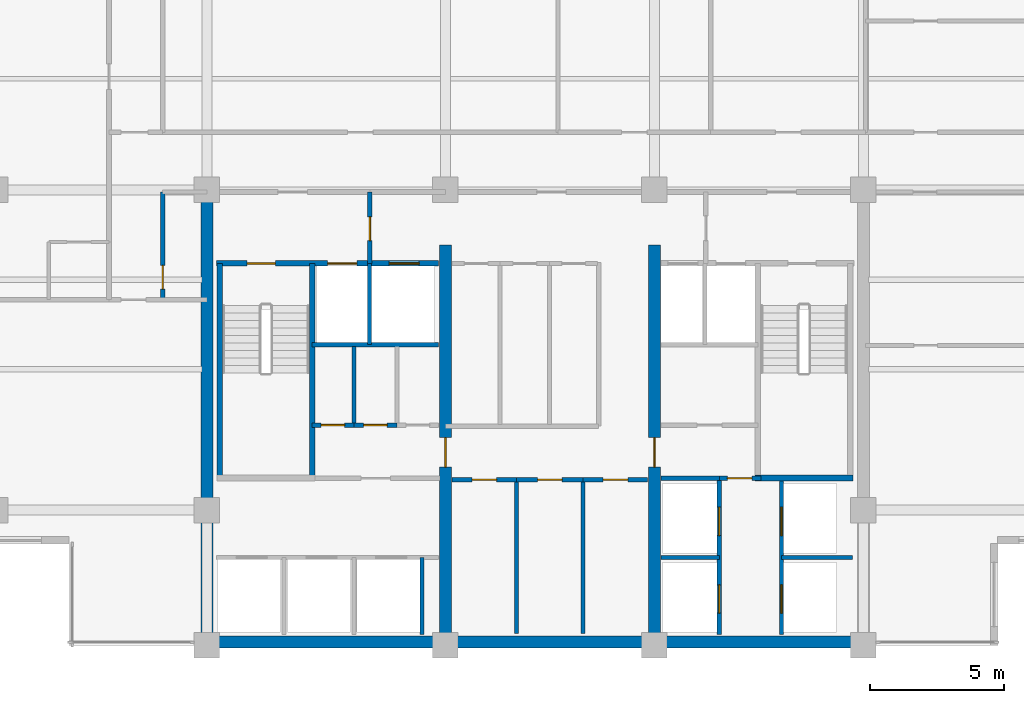
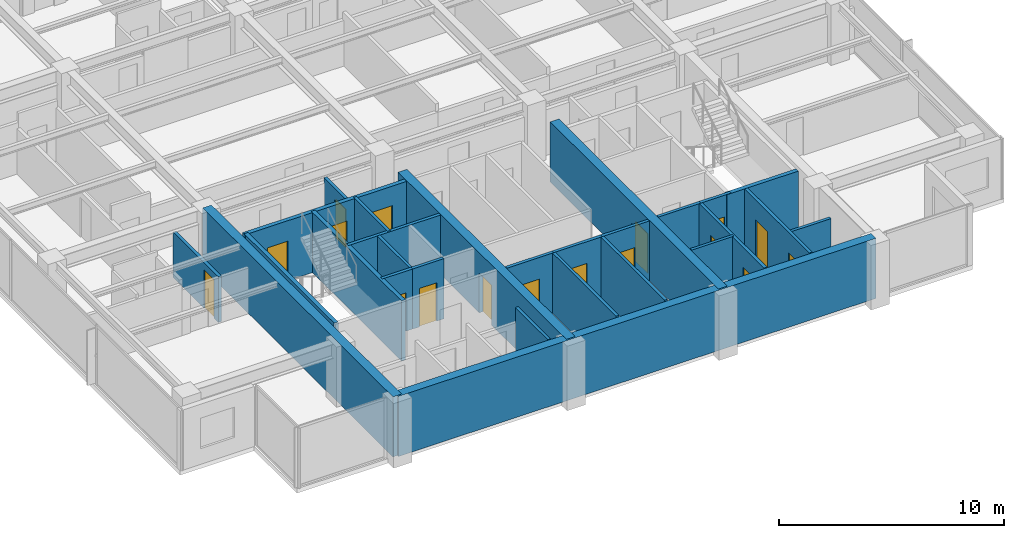
# One storey, part 7 of 14: 27 walls, 17 doors, 17 openings.
"""IFC4 building model written with IfcOpenShell, lengths in metres."""

from ifc_helpers import new_model, si_unit, direction, frame, frame_2d, origin, place, context, subcontext, project, spatial, rectangle, extrude, material, layer, layer_set, type_object, element, fill, save


model = new_model("IFC4")

# Units and contexts
model_context = context("Model", 3, precision=1e-05, world=origin(), true_north=direction((0.0, 1.0)))
body_context = subcontext(model_context, "Body", "Model", "MODEL_VIEW")
ifc_project = project(units=[si_unit("LENGTHUNIT", "METRE"), si_unit("AREAUNIT", "SQUARE_METRE"), si_unit("VOLUMEUNIT", "CUBIC_METRE"), si_unit("PLANEANGLEUNIT", "RADIAN"), si_unit("MASSUNIT", "GRAM", prefix="KILO")], contexts=[model_context])

# Site, building, storey
site_placement = place(None, origin())
site = spatial("IfcSite", under=ifc_project, at=site_placement, CompositionType="ELEMENT")
building_placement = place(site_placement, origin())
building = spatial("IfcBuilding", under=site, at=building_placement, Name="Qalmaran Belvedere Hotel", CompositionType="ELEMENT")
storey_placement = place(building_placement, frame((0.0, 0.0, 228.39990234375)))
storey = spatial("IfcBuildingStorey", under=building, at=storey_placement, Name="L58", CompositionType="ELEMENT", Elevation=228.39990234375)

# Wall
ifc_material_1 = material(Name="Concrete C50/60", Category="concrete")
ifc_layer_1 = layer(ifc_material_1, 0.449951171875, Name="Concrete C50/60")
ifc_layer_set_1 = layer_set([ifc_layer_1], Name="Concrete C50/60")
wall_type_1 = type_object("IfcWallType", Name="WL-CORE-450-C50", PredefinedType="SHEAR", material=ifc_layer_set_1)
wall_1_placement = place(storey_placement, frame((20.300048828125, 3.5, 0.0), z_axis=(0.0, 0.0, 1.0), x_axis=(0.0, 1.0, 0.0)))
element("IfcWall", 1, at=wall_1_placement, inside=storey, type_object=wall_type_1, Name="L58 West Core Shear Wall", PredefinedType="SHEAR", context=body_context, shape_type="SweptSolid", body=[
    extrude(rectangle(XDim=16.89990234375, YDim=0.449951171875, at=frame_2d((8.449951171875, 0.0))), origin(), (0.0, 0.0, 1.0), 3.260009765625),
])

# Wall, opening, door
wall_2_placement = place(storey_placement, frame((29.199951171875, 3.5, 0.0), z_axis=(0.0, 0.0, 1.0), x_axis=(0.0, 1.0, 0.0)))
wall_2 = element("IfcWall", 2, at=wall_2_placement, inside=storey, type_object=wall_type_1, Name="L58 Core West Spine Shear Wall", PredefinedType="SHEAR", context=body_context, shape_type="SweptSolid", body=[
    extrude(rectangle(XDim=14.949951171875, YDim=0.449951171875, at=frame_2d((7.47509765625, 0.0))), origin(), (0.0, 0.0, 1.0), 3.260009765625),
])
opening_1_placement = place(wall_2_placement, frame((7.75, 0.0, 0.0), z_axis=(0.0, 0.0, 1.0), x_axis=(-1.0, 0.0, 0.0)))
opening_1 = element("IfcOpeningElement", 3, at=opening_1_placement, cuts=wall_2, Name="Opening FD90", PredefinedType="OPENING", context=body_context, shape_type="SweptSolid", body=[
    extrude(rectangle(XDim=1.10009765625, YDim=2.14990234375, at=frame_2d((0.550048828125, 1.074951171875))), frame((0.0, 0.23486328125, 0.0), z_axis=(0.0, -1.0, 0.0), x_axis=(1.0, 0.0, 0.0)), (0.0, 0.0, 1.0), 0.469970703125),
])
ifc_material_2 = material(Name="Steel S355JR", Category="steel")
door_type_1 = type_object("IfcDoorType", Name="DR-FD90-1100X2150", OperationType="NOTDEFINED", PredefinedType="DOOR", material=ifc_material_2)
door_1_placement = place(opening_1_placement, origin())
door_1 = element("IfcDoor", 4, at=door_1_placement, inside=storey, type_object=door_type_1, Name="L58 Core West Cross-Lobby Door", OperationType="SINGLE_SWING_LEFT", OverallHeight=2.14990234375, OverallWidth=1.10009765625, PredefinedType="DOOR", context=body_context, shape_type="SweptSolid", body=[
    extrude(rectangle(XDim=1.10009765625, YDim=2.14990234375, at=frame_2d((0.550048828125, 1.074951171875))), frame((0.0, 0.02490234375, 0.0), z_axis=(0.0, -1.0, 0.0), x_axis=(1.0, 0.0, 0.0)), (0.0, 0.0, 1.0), 0.050048828125),
])
fill(opening_1, door_1)

wall_3_placement = place(storey_placement, frame((37.0, 3.5, 0.0), z_axis=(0.0, 0.0, 1.0), x_axis=(0.0, 1.0, 0.0)))
wall_3 = element("IfcWall", 5, at=wall_3_placement, inside=storey, type_object=wall_type_1, Name="L58 Core East Spine Shear Wall", PredefinedType="SHEAR", context=body_context, shape_type="SweptSolid", body=[
    extrude(rectangle(XDim=14.949951171875, YDim=0.449951171875, at=frame_2d((7.47509765625, 0.0))), origin(), (0.0, 0.0, 1.0), 3.260009765625),
])
opening_2_placement = place(wall_3_placement, frame((6.64990234375, 0.0, 0.0)))
opening_2 = element("IfcOpeningElement", 6, at=opening_2_placement, cuts=wall_3, Name="Opening FD90", PredefinedType="OPENING", context=body_context, shape_type="SweptSolid", body=[
    extrude(rectangle(XDim=1.10009765625, YDim=2.14990234375, at=frame_2d((0.550048828125, 1.074951171875))), frame((0.0, 0.23486328125, 0.0), z_axis=(0.0, -1.0, 0.0), x_axis=(1.0, 0.0, 0.0)), (0.0, 0.0, 1.0), 0.469970703125),
])
door_2_placement = place(opening_2_placement, origin())
door_2 = element("IfcDoor", 7, at=door_2_placement, inside=storey, type_object=door_type_1, Name="L58 Core East Cross-Lobby Door", OperationType="SINGLE_SWING_RIGHT", OverallHeight=2.14990234375, OverallWidth=1.10009765625, PredefinedType="DOOR", context=body_context, shape_type="SweptSolid", body=[
    extrude(rectangle(XDim=1.10009765625, YDim=2.14990234375, at=frame_2d((0.550048828125, 1.074951171875))), frame((0.0, 0.02490234375, 0.0), z_axis=(0.0, -1.0, 0.0), x_axis=(1.0, 0.0, 0.0)), (0.0, 0.0, 1.0), 0.050048828125),
])
fill(opening_2, door_2)

# Walls
ifc_layer_2 = layer(ifc_material_1, 0.43994140625, Name="Concrete C50/60")
ifc_layer_set_2 = layer_set([ifc_layer_2], Name="Concrete C50/60")
wall_type_2 = type_object("IfcWallType", Name="WL-CORES-440-EXT", PredefinedType="SHEAR", material=ifc_layer_set_2)
wall_4_placement = place(storey_placement, frame((20.300048828125, 3.6298828125, 0.0), z_axis=(0.0, 0.0, 1.0), x_axis=(1.0, 0.0, 0.0)))
element("IfcWall", 8, at=wall_4_placement, inside=storey, type_object=wall_type_2, Name="L58 South Core Shear Wall", PredefinedType="SHEAR", context=body_context, shape_type="SweptSolid", body=[
    extrude(rectangle(XDim=24.5, YDim=0.43994140625, at=frame_2d((12.25, 0.0))), origin(), (0.0, 0.0, 1.0), 3.260009765625),
])
ifc_material_3 = material(Name="Gypsum Stud Partition")
ifc_layer_3 = layer(ifc_material_3, 0.14990234375, Name="Gypsum Stud Partition")
ifc_layer_set_3 = layer_set([ifc_layer_3], Name="Gypsum Stud Partition")
wall_type_3 = type_object("IfcWallType", Name="WL-INT-150-EI120", PredefinedType="PARTITIONING", material=ifc_layer_set_3)
wall_5_placement = place(storey_placement, frame((26.360107421875, 14.719970703125, 0.0), z_axis=(0.0, 0.0, 1.0), x_axis=(0.0, 1.0, 0.0)))
element("IfcWall", 9, at=wall_5_placement, inside=storey, type_object=wall_type_3, Name="L58 Partition WL-FF1M-L58", PredefinedType="PARTITIONING", context=body_context, shape_type="SweptSolid", body=[
    extrude(rectangle(XDim=3.0400390625, YDim=0.14990234375, at=frame_2d((1.52001953125, 0.0))), origin(), (0.0, 0.0, 1.0), 3.260009765625),
])
wall_6_placement = place(storey_placement, frame((28.320068359375, 3.89990234375, 0.0), z_axis=(0.0, 0.0, 1.0), x_axis=(0.0, 1.0, 0.0)))
element("IfcWall", 10, at=wall_6_placement, inside=storey, type_object=wall_type_3, Name="L58 Partition WL-POM3-L58", PredefinedType="PARTITIONING", context=body_context, shape_type="SweptSolid", body=[
    extrude(rectangle(XDim=2.880126953125, YDim=0.14990234375, at=frame_2d((1.43994140625, 0.0))), origin(), (0.0, 0.0, 1.0), 3.260009765625),
])
wall_7_placement = place(storey_placement, frame((37.25, 6.780029296875, 0.0), z_axis=(0.0, 0.0, 1.0), x_axis=(1.0, 0.0, 0.0)))
element("IfcWall", 11, at=wall_7_placement, inside=storey, type_object=wall_type_3, Name="L58 Partition WL-PHMW-L58", PredefinedType="PARTITIONING", context=body_context, shape_type="SweptSolid", body=[
    extrude(rectangle(XDim=2.169921875, YDim=0.14990234375, at=frame_2d((1.0849609375, 0.0))), origin(), (0.0, 0.0, 1.0), 3.260009765625),
])
wall_8_placement = place(storey_placement, frame((41.739990234375, 6.780029296875, 0.0), z_axis=(0.0, 0.0, 1.0), x_axis=(1.0, 0.0, 0.0)))
element("IfcWall", 12, at=wall_8_placement, inside=storey, type_object=wall_type_3, Name="L58 Partition WL-PHME-L58", PredefinedType="PARTITIONING", context=body_context, shape_type="SweptSolid", body=[
    extrude(rectangle(XDim=2.659912109375, YDim=0.14990234375, at=frame_2d((1.330078125, 0.0))), origin(), (0.0, 0.0, 1.0), 2.47216796875),
])
ifc_layer_4 = layer(ifc_material_3, 0.14990234375, Name="Gypsum Stud Partition")
ifc_layer_set_4 = layer_set([ifc_layer_4], Name="Gypsum Stud Partition")
wall_type_4 = type_object("IfcWallType", Name="WL-INT-150-EI60", PredefinedType="PARTITIONING", material=ifc_layer_set_4)
wall_9_placement = place(storey_placement, frame((25.781005859375, 11.719970703125, 0.0), z_axis=(0.0, 0.0, 1.0), x_axis=(0.0, 1.0, 0.0)))
element("IfcWall", 13, at=wall_9_placement, inside=storey, type_object=wall_type_4, Name="L58 Partition WL-L58-KWV1", PredefinedType="PARTITIONING", context=body_context, shape_type="SweptSolid", body=[
    extrude(rectangle(XDim=2.929931640625, YDim=0.14990234375, at=frame_2d((1.46484375, 0.0))), origin(), (0.0, 0.0, 1.0), 3.260009765625),
])
for number, where, z_axis, x_axis, name in (
    (14, (31.85888671875, 3.949951171875, 0.0), (0.0, 0.0, 1.0), (0.0, 1.0, 0.0), "L58 Partition WL-L58-KPLV1"),
    (15, (34.341064453125, 3.949951171875, 0.0), (0.0, 0.0, 1.0), (0.0, 1.0, 0.0), "L58 Partition WL-L58-KPLV2"),
):
    element("IfcWall", number, at=place(storey_placement, frame(where, z_axis=z_axis, x_axis=x_axis)), inside=storey, type_object=wall_type_4, Name=name, PredefinedType="PARTITIONING", context=body_context, shape_type="SweptSolid", body=[
        extrude(rectangle(XDim=5.72998046875, YDim=0.14990234375, at=frame_2d((2.864990234375, 0.0))), origin(), (0.0, 0.0, 1.0), 3.260009765625),
    ])

# Wall, opening, door
ifc_layer_5 = layer(ifc_material_3, 0.159912109375, Name="Gypsum Stud Partition")
ifc_layer_set_5 = layer_set([ifc_layer_5], Name="Gypsum Stud Partition")
wall_type_5 = type_object("IfcWallType", Name="WL-INT-160-EI120", PredefinedType="PARTITIONING", material=ifc_layer_set_5)
wall_10_placement = place(storey_placement, frame((26.3798828125, 17.760009765625, 0.0), z_axis=(0.0, 0.0, 1.0), x_axis=(0.0, 1.0, 0.0)))
wall_10 = element("IfcWall", 16, at=wall_10_placement, inside=storey, type_object=wall_type_5, Name="L58 Partition WL-FFSV1-L58", PredefinedType="PARTITIONING", context=body_context, shape_type="SweptSolid", body=[
    extrude(rectangle(XDim=2.659912109375, YDim=0.159912109375, at=frame_2d((1.330078125, 0.0))), origin(), (0.0, 0.0, 1.0), 2.7060546875),
])
opening_3_placement = place(wall_10_placement, frame((0.85009765625, 0.0, 0.0)))
opening_3 = element("IfcOpeningElement", 17, at=opening_3_placement, cuts=wall_10, Name="Opening FD60B", PredefinedType="OPENING", context=body_context, shape_type="SweptSolid", body=[
    extrude(rectangle(XDim=0.8798828125, YDim=2.080078125, at=frame_2d((0.43994140625, 1.0400390625))), frame((0.0, 0.08984375, 0.0), z_axis=(0.0, -1.0, 0.0), x_axis=(1.0, 0.0, 0.0)), (0.0, 0.0, 1.0), 0.179931640625),
])
door_type_2 = type_object("IfcDoorType", Name="DR-FD60B-880X2080", OperationType="NOTDEFINED", PredefinedType="DOOR", material=ifc_material_2)
door_3_placement = place(opening_3_placement, origin())
door_3 = element("IfcDoor", 18, at=door_3_placement, inside=storey, type_object=door_type_2, Name="L58 Service Lobby West Door", OperationType="SINGLE_SWING_LEFT", OverallHeight=2.080078125, OverallWidth=0.8798828125, PredefinedType="DOOR", context=body_context, shape_type="SweptSolid", body=[
    extrude(rectangle(XDim=0.8798828125, YDim=2.080078125, at=frame_2d((0.43994140625, 1.0400390625))), frame((0.0, 0.02490234375, 0.0), z_axis=(0.0, -1.0, 0.0), x_axis=(1.0, 0.0, 0.0)), (0.0, 0.0, 1.0), 0.050048828125),
])
fill(opening_3, door_3)

# Wall
wall_11_placement = place(storey_placement, frame((24.219970703125, 14.719970703125, 0.0), z_axis=(0.0, 0.0, 1.0), x_axis=(1.0, 0.0, 0.0)))
element("IfcWall", 19, at=wall_11_placement, inside=storey, type_object=wall_type_5, Name="L58 Partition WL-FF1S-L58", PredefinedType="PARTITIONING", context=body_context, shape_type="SweptSolid", body=[
    extrude(rectangle(XDim=4.72998046875, YDim=0.159912109375, at=frame_2d((2.364990234375, 0.0))), origin(), (0.0, 0.0, 1.0), 3.260009765625),
])

# Wall, openings, doors
wall_12_placement = place(storey_placement, frame((39.419921875, 3.89990234375, 0.0), z_axis=(0.0, 0.0, 1.0), x_axis=(0.0, 1.0, 0.0)))
wall_12 = element("IfcWall", 20, at=wall_12_placement, inside=storey, type_object=wall_type_5, Name="L58 Partition WL-PHW-L58", PredefinedType="PARTITIONING", context=body_context, shape_type="SweptSolid", body=[
    extrude(rectangle(XDim=5.840087890625, YDim=0.159912109375, at=frame_2d((2.919921875, 0.0))), origin(), (0.0, 0.0, 1.0), 3.260009765625),
])
opening_4_placement = place(wall_12_placement, frame((1.860107421875, 0.0, 0.0), z_axis=(0.0, 0.0, 1.0), x_axis=(-1.0, 0.0, 0.0)))
opening_4 = element("IfcOpeningElement", 21, at=opening_4_placement, cuts=wall_12, Name="Opening LD-P2", PredefinedType="OPENING", context=body_context, shape_type="SweptSolid", body=[
    extrude(rectangle(XDim=1.06005859375, YDim=2.159912109375, at=frame_2d((0.530029296875, 1.080078125))), frame((0.0, 0.08984375, 0.0), z_axis=(0.0, -1.0, 0.0), x_axis=(1.0, 0.0, 0.0)), (0.0, 0.0, 1.0), 0.179931640625),
])
opening_5_placement = place(wall_12_placement, frame((4.760009765625, 0.0, 0.0), z_axis=(0.0, 0.0, 1.0), x_axis=(-1.0, 0.0, 0.0)))
opening_5 = element("IfcOpeningElement", 22, at=opening_5_placement, cuts=wall_12, Name="Opening LD-P2", PredefinedType="OPENING", context=body_context, shape_type="SweptSolid", body=[
    extrude(rectangle(XDim=1.06005859375, YDim=2.159912109375, at=frame_2d((0.530029296875, 1.080078125))), frame((0.0, 0.08984375, 0.0), z_axis=(0.0, -1.0, 0.0), x_axis=(1.0, 0.0, 0.0)), (0.0, 0.0, 1.0), 0.179931640625),
])
ifc_material_4 = material(Name="Stainless Steel 1.4401", Category="steel")
door_type_3 = type_object("IfcDoorType", Name="DR-LIFT-P2-1060X2160", OperationType="DOUBLE_DOOR_SLIDING", PredefinedType="DOOR", material=ifc_material_4)
door_4_placement = place(opening_4_placement, origin())
door_4 = element("IfcDoor", 23, at=door_4_placement, inside=storey, type_object=door_type_3, Name="L58 PH1 Lift Landing Door", OperationType="DOUBLE_DOOR_SLIDING", OverallHeight=2.159912109375, OverallWidth=1.06005859375, PredefinedType="DOOR", context=body_context, shape_type="SweptSolid", body=[
    extrude(rectangle(XDim=1.06005859375, YDim=2.159912109375, at=frame_2d((0.530029296875, 1.080078125))), frame((0.0, 0.02490234375, 0.0), z_axis=(0.0, -1.0, 0.0), x_axis=(1.0, 0.0, 0.0)), (0.0, 0.0, 1.0), 0.050048828125),
])
fill(opening_4, door_4)
door_5_placement = place(opening_5_placement, origin())
door_5 = element("IfcDoor", 24, at=door_5_placement, inside=storey, type_object=door_type_3, Name="L58 PH2 Lift Landing Door", OperationType="DOUBLE_DOOR_SLIDING", OverallHeight=2.159912109375, OverallWidth=1.06005859375, PredefinedType="DOOR", context=body_context, shape_type="SweptSolid", body=[
    extrude(rectangle(XDim=1.06005859375, YDim=2.159912109375, at=frame_2d((0.530029296875, 1.080078125))), frame((0.0, 0.02490234375, 0.0), z_axis=(0.0, -1.0, 0.0), x_axis=(1.0, 0.0, 0.0)), (0.0, 0.0, 1.0), 0.050048828125),
])
fill(opening_5, door_5)

wall_13_placement = place(storey_placement, frame((41.739990234375, 3.89990234375, 0.0), z_axis=(0.0, 0.0, 1.0), x_axis=(0.0, 1.0, 0.0)))
wall_13 = element("IfcWall", 25, at=wall_13_placement, inside=storey, type_object=wall_type_5, Name="L58 Partition WL-PHE-L58", PredefinedType="PARTITIONING", context=body_context, shape_type="SweptSolid", body=[
    extrude(rectangle(XDim=5.840087890625, YDim=0.159912109375, at=frame_2d((2.919921875, 0.0))), origin(), (0.0, 0.0, 1.0), 3.260009765625),
])
opening_6_placement = place(wall_13_placement, frame((0.800048828125, 0.0, 0.0)))
opening_6 = element("IfcOpeningElement", 26, at=opening_6_placement, cuts=wall_13, Name="Opening LD-P2", PredefinedType="OPENING", context=body_context, shape_type="SweptSolid", body=[
    extrude(rectangle(XDim=1.06005859375, YDim=2.159912109375, at=frame_2d((0.530029296875, 1.080078125))), frame((0.0, 0.08984375, 0.0), z_axis=(0.0, -1.0, 0.0), x_axis=(1.0, 0.0, 0.0)), (0.0, 0.0, 1.0), 0.179931640625),
])
opening_7_placement = place(wall_13_placement, frame((3.699951171875, 0.0, 0.0)))
opening_7 = element("IfcOpeningElement", 27, at=opening_7_placement, cuts=wall_13, Name="Opening LD-P2", PredefinedType="OPENING", context=body_context, shape_type="SweptSolid", body=[
    extrude(rectangle(XDim=1.06005859375, YDim=2.159912109375, at=frame_2d((0.530029296875, 1.080078125))), frame((0.0, 0.08984375, 0.0), z_axis=(0.0, -1.0, 0.0), x_axis=(1.0, 0.0, 0.0)), (0.0, 0.0, 1.0), 0.179931640625),
])
door_6_placement = place(opening_6_placement, origin())
door_6 = element("IfcDoor", 28, at=door_6_placement, inside=storey, type_object=door_type_3, Name="L58 PH3 Lift Landing Door", OperationType="DOUBLE_DOOR_SLIDING", OverallHeight=2.159912109375, OverallWidth=1.06005859375, PredefinedType="DOOR", context=body_context, shape_type="SweptSolid", body=[
    extrude(rectangle(XDim=1.06005859375, YDim=2.159912109375, at=frame_2d((0.530029296875, 1.080078125))), frame((0.0, 0.02490234375, 0.0), z_axis=(0.0, -1.0, 0.0), x_axis=(1.0, 0.0, 0.0)), (0.0, 0.0, 1.0), 0.050048828125),
])
fill(opening_6, door_6)
door_7_placement = place(opening_7_placement, origin())
door_7 = element("IfcDoor", 29, at=door_7_placement, inside=storey, type_object=door_type_3, Name="L58 PH4 Lift Landing Door", OperationType="DOUBLE_DOOR_SLIDING", OverallHeight=2.159912109375, OverallWidth=1.06005859375, PredefinedType="DOOR", context=body_context, shape_type="SweptSolid", body=[
    extrude(rectangle(XDim=1.06005859375, YDim=2.159912109375, at=frame_2d((0.530029296875, 1.080078125))), frame((0.0, 0.02490234375, 0.0), z_axis=(0.0, -1.0, 0.0), x_axis=(1.0, 0.0, 0.0)), (0.0, 0.0, 1.0), 0.050048828125),
])
fill(opening_7, door_7)

# Wall
wall_14_placement = place(storey_placement, frame((37.25, 9.739990234375, 0.0), z_axis=(0.0, 0.0, 1.0), x_axis=(1.0, 0.0, 0.0)))
element("IfcWall", 30, at=wall_14_placement, inside=storey, type_object=wall_type_5, Name="L58 Partition WL-PHNW-L58", PredefinedType="PARTITIONING", context=body_context, shape_type="SweptSolid", body=[
    extrude(rectangle(XDim=2.169921875, YDim=0.159912109375, at=frame_2d((1.0849609375, 0.0))), origin(), (0.0, 0.0, 1.0), 3.260009765625),
])

# Wall, opening, door
wall_15_placement = place(storey_placement, frame((39.419921875, 9.739990234375, 0.0), z_axis=(0.0, 0.0, 1.0), x_axis=(1.0, 0.0, 0.0)))
wall_15 = element("IfcWall", 31, at=wall_15_placement, inside=storey, type_object=wall_type_5, Name="L58 Partition WL-PHNL-L58", PredefinedType="PARTITIONING", context=body_context, shape_type="SweptSolid", body=[
    extrude(rectangle(XDim=1.56005859375, YDim=0.159912109375, at=frame_2d((0.780029296875, 0.0))), origin(), (0.0, 0.0, 1.0), 3.260009765625),
])
opening_8_placement = place(wall_15_placement, frame((0.300048828125, 0.0, 0.0)))
opening_8 = element("IfcOpeningElement", 32, at=opening_8_placement, cuts=wall_15, Name="Opening FD60S1", PredefinedType="OPENING", context=body_context, shape_type="SweptSolid", body=[
    extrude(rectangle(XDim=0.919921875, YDim=2.080078125, at=frame_2d((0.4599609375, 1.0400390625))), frame((0.0, 0.08984375, 0.0), z_axis=(0.0, -1.0, 0.0), x_axis=(1.0, 0.0, 0.0)), (0.0, 0.0, 1.0), 0.179931640625),
])
ifc_material_5 = material(Name="Engineered Oak Veneer")
door_type_4 = type_object("IfcDoorType", Name="DR-FD60S-920X2080", OperationType="NOTDEFINED", PredefinedType="DOOR", material=ifc_material_5)
door_8_placement = place(opening_8_placement, origin())
door_8 = element("IfcDoor", 33, at=door_8_placement, inside=storey, type_object=door_type_4, Name="L58 High-Rise Lift Lobby Passage Door", OperationType="SINGLE_SWING_LEFT", OverallHeight=2.080078125, OverallWidth=0.919921875, PredefinedType="DOOR", context=body_context, shape_type="SweptSolid", body=[
    extrude(rectangle(XDim=0.919921875, YDim=2.080078125, at=frame_2d((0.4599609375, 1.0400390625))), frame((0.0, 0.02490234375, 0.0), z_axis=(0.0, -1.0, 0.0), x_axis=(1.0, 0.0, 0.0)), (0.0, 0.0, 1.0), 0.050048828125),
])
fill(opening_8, door_8)

ifc_layer_6 = layer(ifc_material_3, 0.159912109375, Name="Gypsum Stud Partition")
ifc_layer_set_6 = layer_set([ifc_layer_6], Name="Gypsum Stud Partition")
wall_type_6 = type_object("IfcWallType", Name="WL-INT-160-EI60", PredefinedType="PARTITIONING", material=ifc_layer_set_6)
wall_16_placement = place(storey_placement, frame((24.219970703125, 11.719970703125, 0.0), z_axis=(0.0, 0.0, 1.0), x_axis=(1.0, 0.0, 0.0)))
wall_16 = element("IfcWall", 34, at=wall_16_placement, inside=storey, type_object=wall_type_6, Name="L58 Partition WL-L58-KWE1", PredefinedType="PARTITIONING", context=body_context, shape_type="SweptSolid", body=[
    extrude(rectangle(XDim=1.56103515625, YDim=0.159912109375, at=frame_2d((0.780517578125, 0.0))), origin(), (0.0, 0.0, 1.0), 3.260009765625),
])
opening_9_placement = place(wall_16_placement, frame((0.340576171875, 0.0, 0.0)))
opening_9 = element("IfcOpeningElement", 35, at=opening_9_placement, cuts=wall_16, Name="Opening FD60B", PredefinedType="OPENING", context=body_context, shape_type="SweptSolid", body=[
    extrude(rectangle(XDim=0.8798828125, YDim=2.080078125, at=frame_2d((0.43994140625, 1.0400390625))), frame((0.0, 0.08984375, 0.0), z_axis=(0.0, -1.0, 0.0), x_axis=(1.0, 0.0, 0.0)), (0.0, 0.0, 1.0), 0.179931640625),
])
door_9_placement = place(opening_9_placement, origin())
door_9 = element("IfcDoor", 36, at=door_9_placement, inside=storey, type_object=door_type_2, Name="L58 Staff Core WC Door", OperationType="SINGLE_SWING_RIGHT", OverallHeight=2.080078125, OverallWidth=0.8798828125, PredefinedType="DOOR", context=body_context, shape_type="SweptSolid", body=[
    extrude(rectangle(XDim=0.8798828125, YDim=2.080078125, at=frame_2d((0.43994140625, 1.0400390625))), frame((0.0, 0.02490234375, 0.0), z_axis=(0.0, -1.0, 0.0), x_axis=(1.0, 0.0, 0.0)), (0.0, 0.0, 1.0), 0.050048828125),
])
fill(opening_9, door_9)

wall_17_placement = place(storey_placement, frame((25.781005859375, 11.719970703125, 0.0), z_axis=(0.0, 0.0, 1.0), x_axis=(1.0, 0.0, 0.0)))
wall_17 = element("IfcWall", 37, at=wall_17_placement, inside=storey, type_object=wall_type_6, Name="L58 Partition WL-L58-KWE2", PredefinedType="PARTITIONING", context=body_context, shape_type="SweptSolid", body=[
    extrude(rectangle(XDim=1.608154296875, YDim=0.159912109375, at=frame_2d((0.80419921875, 0.0))), origin(), (0.0, 0.0, 1.0), 3.260009765625),
])
opening_10_placement = place(wall_17_placement, frame((0.364013671875, 0.0, 0.0)))
opening_10 = element("IfcOpeningElement", 38, at=opening_10_placement, cuts=wall_17, Name="Opening FD60B", PredefinedType="OPENING", context=body_context, shape_type="SweptSolid", body=[
    extrude(rectangle(XDim=0.8798828125, YDim=2.080078125, at=frame_2d((0.43994140625, 1.0400390625))), frame((0.0, 0.08984375, 0.0), z_axis=(0.0, -1.0, 0.0), x_axis=(1.0, 0.0, 0.0)), (0.0, 0.0, 1.0), 0.179931640625),
])
door_10_placement = place(opening_10_placement, origin())
door_10 = element("IfcDoor", 39, at=door_10_placement, inside=storey, type_object=door_type_2, Name="L58 Electrical Distribution Room Door", OperationType="SINGLE_SWING_LEFT", OverallHeight=2.080078125, OverallWidth=0.8798828125, PredefinedType="DOOR", context=body_context, shape_type="SweptSolid", body=[
    extrude(rectangle(XDim=0.8798828125, YDim=2.080078125, at=frame_2d((0.43994140625, 1.0400390625))), frame((0.0, 0.02490234375, 0.0), z_axis=(0.0, -1.0, 0.0), x_axis=(1.0, 0.0, 0.0)), (0.0, 0.0, 1.0), 0.050048828125),
])
fill(opening_10, door_10)

wall_18_placement = place(storey_placement, frame((29.449951171875, 9.679931640625, 0.0), z_axis=(0.0, 0.0, 1.0), x_axis=(1.0, 0.0, 0.0)))
wall_18 = element("IfcWall", 40, at=wall_18_placement, inside=storey, type_object=wall_type_6, Name="L58 Partition WL-L58-KPLE1", PredefinedType="PARTITIONING", context=body_context, shape_type="SweptSolid", body=[
    extrude(rectangle(XDim=2.408935546875, YDim=0.159912109375, at=frame_2d((1.20458984375, 0.0))), origin(), (0.0, 0.0, 1.0), 3.260009765625),
])
opening_11_placement = place(wall_18_placement, frame((1.664306640625, 0.0, 0.0), z_axis=(0.0, 0.0, 1.0), x_axis=(-1.0, 0.0, 0.0)))
opening_11 = element("IfcOpeningElement", 41, at=opening_11_placement, cuts=wall_18, Name="Opening FD60S1", PredefinedType="OPENING", context=body_context, shape_type="SweptSolid", body=[
    extrude(rectangle(XDim=0.919921875, YDim=2.080078125, at=frame_2d((0.4599609375, 1.0400390625))), frame((0.0, 0.08984375, 0.0), z_axis=(0.0, -1.0, 0.0), x_axis=(1.0, 0.0, 0.0)), (0.0, 0.0, 1.0), 0.179931640625),
])
door_11_placement = place(opening_11_placement, origin())
door_11 = element("IfcDoor", 42, at=door_11_placement, inside=storey, type_object=door_type_4, Name="L58 Housekeeping and Linen Room Door", OperationType="SINGLE_SWING_RIGHT", OverallHeight=2.080078125, OverallWidth=0.919921875, PredefinedType="DOOR", context=body_context, shape_type="SweptSolid", body=[
    extrude(rectangle(XDim=0.919921875, YDim=2.080078125, at=frame_2d((0.4599609375, 1.0400390625))), frame((0.0, 0.02490234375, 0.0), z_axis=(0.0, -1.0, 0.0), x_axis=(1.0, 0.0, 0.0)), (0.0, 0.0, 1.0), 0.050048828125),
])
fill(opening_11, door_11)

wall_19_placement = place(storey_placement, frame((31.85888671875, 9.679931640625, 0.0), z_axis=(0.0, 0.0, 1.0), x_axis=(1.0, 0.0, 0.0)))
wall_19 = element("IfcWall", 43, at=wall_19_placement, inside=storey, type_object=wall_type_6, Name="L58 Partition WL-L58-KPLE2", PredefinedType="PARTITIONING", context=body_context, shape_type="SweptSolid", body=[
    extrude(rectangle(XDim=2.482177734375, YDim=0.159912109375, at=frame_2d((1.2412109375, 0.0))), origin(), (0.0, 0.0, 1.0), 3.260009765625),
])
opening_12_placement = place(wall_19_placement, frame((1.700927734375, 0.0, 0.0), z_axis=(0.0, 0.0, 1.0), x_axis=(-1.0, 0.0, 0.0)))
opening_12 = element("IfcOpeningElement", 44, at=opening_12_placement, cuts=wall_19, Name="Opening FD60S1", PredefinedType="OPENING", context=body_context, shape_type="SweptSolid", body=[
    extrude(rectangle(XDim=0.919921875, YDim=2.080078125, at=frame_2d((0.4599609375, 1.0400390625))), frame((0.0, 0.08984375, 0.0), z_axis=(0.0, -1.0, 0.0), x_axis=(1.0, 0.0, 0.0)), (0.0, 0.0, 1.0), 0.179931640625),
])
door_12_placement = place(opening_12_placement, origin())
door_12 = element("IfcDoor", 45, at=door_12_placement, inside=storey, type_object=door_type_4, Name="L58 Hotel Butler Service Pantry Door", OperationType="SINGLE_SWING_LEFT", OverallHeight=2.080078125, OverallWidth=0.919921875, PredefinedType="DOOR", context=body_context, shape_type="SweptSolid", body=[
    extrude(rectangle(XDim=0.919921875, YDim=2.080078125, at=frame_2d((0.4599609375, 1.0400390625))), frame((0.0, 0.02490234375, 0.0), z_axis=(0.0, -1.0, 0.0), x_axis=(1.0, 0.0, 0.0)), (0.0, 0.0, 1.0), 0.050048828125),
])
fill(opening_12, door_12)

wall_20_placement = place(storey_placement, frame((34.341064453125, 9.679931640625, 0.0), z_axis=(0.0, 0.0, 1.0), x_axis=(1.0, 0.0, 0.0)))
wall_20 = element("IfcWall", 46, at=wall_20_placement, inside=storey, type_object=wall_type_6, Name="L58 Partition WL-L58-KPLE3", PredefinedType="PARTITIONING", context=body_context, shape_type="SweptSolid", body=[
    extrude(rectangle(XDim=2.408935546875, YDim=0.159912109375, at=frame_2d((1.20458984375, 0.0))), origin(), (0.0, 0.0, 1.0), 3.260009765625),
])
opening_13_placement = place(wall_20_placement, frame((1.664306640625, 0.0, 0.0), z_axis=(0.0, 0.0, 1.0), x_axis=(-1.0, 0.0, 0.0)))
opening_13 = element("IfcOpeningElement", 47, at=opening_13_placement, cuts=wall_20, Name="Opening FD60S1", PredefinedType="OPENING", context=body_context, shape_type="SweptSolid", body=[
    extrude(rectangle(XDim=0.919921875, YDim=2.080078125, at=frame_2d((0.4599609375, 1.0400390625))), frame((0.0, 0.08984375, 0.0), z_axis=(0.0, -1.0, 0.0), x_axis=(1.0, 0.0, 0.0)), (0.0, 0.0, 1.0), 0.179931640625),
])
door_13_placement = place(opening_13_placement, origin())
door_13 = element("IfcDoor", 48, at=door_13_placement, inside=storey, type_object=door_type_4, Name="L58 Guest Valet Supply Store Door", OperationType="SINGLE_SWING_RIGHT", OverallHeight=2.080078125, OverallWidth=0.919921875, PredefinedType="DOOR", context=body_context, shape_type="SweptSolid", body=[
    extrude(rectangle(XDim=0.919921875, YDim=2.080078125, at=frame_2d((0.4599609375, 1.0400390625))), frame((0.0, 0.02490234375, 0.0), z_axis=(0.0, -1.0, 0.0), x_axis=(1.0, 0.0, 0.0)), (0.0, 0.0, 1.0), 0.050048828125),
])
fill(opening_13, door_13)

wall_21_placement = place(storey_placement, frame((18.64990234375, 16.39990234375, 0.0), z_axis=(0.0, 0.0, 1.0), x_axis=(0.0, 1.0, 0.0)))
wall_21 = element("IfcWall", 49, at=wall_21_placement, inside=storey, type_object=wall_type_6, Name="L58 Partition WL-L58-WCL", PredefinedType="PARTITIONING", context=body_context, shape_type="SweptSolid", body=[
    extrude(rectangle(XDim=4.02001953125, YDim=0.159912109375, at=frame_2d((2.010009765625, 0.0))), origin(), (0.0, 0.0, 1.0), 2.47216796875),
])
opening_14_placement = place(wall_21_placement, frame((1.27978515625, 0.0, 0.0), z_axis=(0.0, 0.0, 1.0), x_axis=(-1.0, 0.0, 0.0)))
opening_14 = element("IfcOpeningElement", 50, at=opening_14_placement, cuts=wall_21, Name="Opening FD60B", PredefinedType="OPENING", context=body_context, shape_type="SweptSolid", body=[
    extrude(rectangle(XDim=0.8798828125, YDim=2.080078125, at=frame_2d((0.43994140625, 1.0400390625))), frame((0.0, 0.08984375, 0.0), z_axis=(0.0, -1.0, 0.0), x_axis=(1.0, 0.0, 0.0)), (0.0, 0.0, 1.0), 0.179931640625),
])
door_14_placement = place(opening_14_placement, origin())
door_14 = element("IfcDoor", 51, at=door_14_placement, inside=storey, type_object=door_type_2, Name="L58 West Closet Door", OperationType="SINGLE_SWING_LEFT", OverallHeight=2.080078125, OverallWidth=0.8798828125, PredefinedType="DOOR", context=body_context, shape_type="SweptSolid", body=[
    extrude(rectangle(XDim=0.8798828125, YDim=2.080078125, at=frame_2d((0.43994140625, 1.0400390625))), frame((0.0, 0.02490234375, 0.0), z_axis=(0.0, -1.0, 0.0), x_axis=(1.0, 0.0, 0.0)), (0.0, 0.0, 1.0), 0.050048828125),
])
fill(opening_14, door_14)

# Walls
ifc_layer_7 = layer(ifc_material_1, 0.2099609375, Name="Concrete C50/60")
ifc_layer_set_7 = layer_set([ifc_layer_7], Name="Concrete C50/60")
wall_type_7 = type_object("IfcWallType", Name="WL-STAIR-210-C50", PredefinedType="SHEAR", material=ifc_layer_set_7)
for number, where, z_axis, x_axis, name in (
    (52, (20.77490234375, 9.7451171875, 0.0), (0.0, 0.0, 1.0), (0.0, 1.0, 0.0), "L58 Stair ST-1 West Bearing Wall"),
    (53, (24.22509765625, 9.7451171875, 0.0), (0.0, 0.0, 1.0), (0.0, 1.0, 0.0), "L58 Stair ST-1 East Bearing Wall"),
):
    element("IfcWall", number, at=place(storey_placement, frame(where, z_axis=z_axis, x_axis=x_axis)), inside=storey, type_object=wall_type_7, Name=name, PredefinedType="SHEAR", context=body_context, shape_type="SweptSolid", body=[
        extrude(rectangle(XDim=8.009765625, YDim=0.2099609375, at=frame_2d((4.0048828125, 0.0))), origin(), (0.0, 0.0, 1.0), 3.260009765625),
    ])

# Wall, openings, doors
wall_22_placement = place(storey_placement, frame((20.64990234375, 17.7548828125, 0.0), z_axis=(0.0, 0.0, 1.0), x_axis=(1.0, 0.0, 0.0)))
wall_22 = element("IfcWall", 54, at=wall_22_placement, inside=storey, type_object=wall_type_7, Name="L58 West Lobby and Stair ST-1 North Bearing Wall", PredefinedType="SHEAR", context=body_context, shape_type="SweptSolid", body=[
    extrude(rectangle(XDim=8.300048828125, YDim=0.2099609375, at=frame_2d((4.14990234375, 0.0))), origin(), (0.0, 0.0, 1.0), 3.260009765625),
])
opening_15_placement = place(wall_22_placement, frame((2.199951171875, 0.0, 0.0), z_axis=(0.0, 0.0, 1.0), x_axis=(-1.0, 0.0, 0.0)))
opening_15 = element("IfcOpeningElement", 55, at=opening_15_placement, cuts=wall_22, Name="Opening FD90S2", PredefinedType="OPENING", context=body_context, shape_type="SweptSolid", body=[
    extrude(rectangle(XDim=1.050048828125, YDim=2.14990234375, at=frame_2d((0.52490234375, 1.074951171875))), frame((0.0, 0.114990234375, 0.0), z_axis=(0.0, -1.0, 0.0), x_axis=(1.0, 0.0, 0.0)), (0.0, 0.0, 1.0), 0.22998046875),
])
opening_16_placement = place(wall_22_placement, frame((4.14990234375, 0.0, 0.0)))
opening_16 = element("IfcOpeningElement", 56, at=opening_16_placement, cuts=wall_22, Name="Opening LD-FF", PredefinedType="OPENING", context=body_context, shape_type="SweptSolid", body=[
    extrude(rectangle(XDim=1.10009765625, YDim=2.179931640625, at=frame_2d((0.550048828125, 1.08984375))), frame((0.0, 0.114990234375, 0.0), z_axis=(0.0, -1.0, 0.0), x_axis=(1.0, 0.0, 0.0)), (0.0, 0.0, 1.0), 0.22998046875),
])
opening_17_placement = place(wall_22_placement, frame((6.449951171875, 0.0, 0.0)))
opening_17 = element("IfcOpeningElement", 57, at=opening_17_placement, cuts=wall_22, Name="Opening LD-SV", PredefinedType="OPENING", context=body_context, shape_type="SweptSolid", body=[
    extrude(rectangle(XDim=1.1201171875, YDim=2.199951171875, at=frame_2d((0.56005859375, 1.10009765625))), frame((0.0, 0.114990234375, 0.0), z_axis=(0.0, -1.0, 0.0), x_axis=(1.0, 0.0, 0.0)), (0.0, 0.0, 1.0), 0.22998046875),
])
door_type_5 = type_object("IfcDoorType", Name="DR-FD90S-1050X2150", OperationType="NOTDEFINED", PredefinedType="DOOR", material=ifc_material_2)
door_15_placement = place(opening_15_placement, origin())
door_15 = element("IfcDoor", 58, at=door_15_placement, inside=storey, type_object=door_type_5, Name="L58 Stair ST-1 Door", OperationType="SINGLE_SWING_LEFT", OverallHeight=2.14990234375, OverallWidth=1.050048828125, PredefinedType="DOOR", context=body_context, shape_type="SweptSolid", body=[
    extrude(rectangle(XDim=1.050048828125, YDim=2.14990234375, at=frame_2d((0.52490234375, 1.074951171875))), frame((0.0, 0.02490234375, 0.0), z_axis=(0.0, -1.0, 0.0), x_axis=(1.0, 0.0, 0.0)), (0.0, 0.0, 1.0), 0.050048828125),
])
fill(opening_15, door_15)
door_type_6 = type_object("IfcDoorType", Name="DR-LIFT-FF-1100X2180", OperationType="DOUBLE_DOOR_SLIDING", PredefinedType="DOOR", material=ifc_material_4)
door_16_placement = place(opening_16_placement, origin())
door_16 = element("IfcDoor", 59, at=door_16_placement, inside=storey, type_object=door_type_6, Name="L58 FF1 Lift Landing Door", OperationType="DOUBLE_DOOR_SLIDING", OverallHeight=2.179931640625, OverallWidth=1.10009765625, PredefinedType="DOOR", context=body_context, shape_type="SweptSolid", body=[
    extrude(rectangle(XDim=1.10009765625, YDim=2.179931640625, at=frame_2d((0.550048828125, 1.08984375))), frame((0.0, 0.02490234375, 0.0), z_axis=(0.0, -1.0, 0.0), x_axis=(1.0, 0.0, 0.0)), (0.0, 0.0, 1.0), 0.050048828125),
])
fill(opening_16, door_16)
door_type_7 = type_object("IfcDoorType", Name="DR-LIFT-SV-1120X2200", OperationType="DOUBLE_DOOR_SLIDING", PredefinedType="DOOR", material=ifc_material_4)
door_17_placement = place(opening_17_placement, origin())
door_17 = element("IfcDoor", 60, at=door_17_placement, inside=storey, type_object=door_type_7, Name="L58 SV1 Lift Landing Door", OperationType="DOUBLE_DOOR_SLIDING", OverallHeight=2.199951171875, OverallWidth=1.1201171875, PredefinedType="DOOR", context=body_context, shape_type="SweptSolid", body=[
    extrude(rectangle(XDim=1.1201171875, YDim=2.199951171875, at=frame_2d((0.56005859375, 1.10009765625))), frame((0.0, 0.02490234375, 0.0), z_axis=(0.0, -1.0, 0.0), x_axis=(1.0, 0.0, 0.0)), (0.0, 0.0, 1.0), 0.050048828125),
])
fill(opening_17, door_17)

# Wall
wall_23_placement = place(storey_placement, frame((40.75, 9.7451171875, 0.0), z_axis=(0.0, 0.0, 1.0), x_axis=(1.0, 0.0, 0.0)))
element("IfcWall", 61, at=wall_23_placement, inside=storey, type_object=wall_type_7, Name="L58 Stair ST-2 South Bearing Wall", PredefinedType="SHEAR", context=body_context, shape_type="SweptSolid", body=[
    extrude(rectangle(XDim=3.659912109375, YDim=0.2099609375, at=frame_2d((1.830078125, 0.0))), origin(), (0.0, 0.0, 1.0), 3.260009765625),
])

save(model, "model.ifc")
